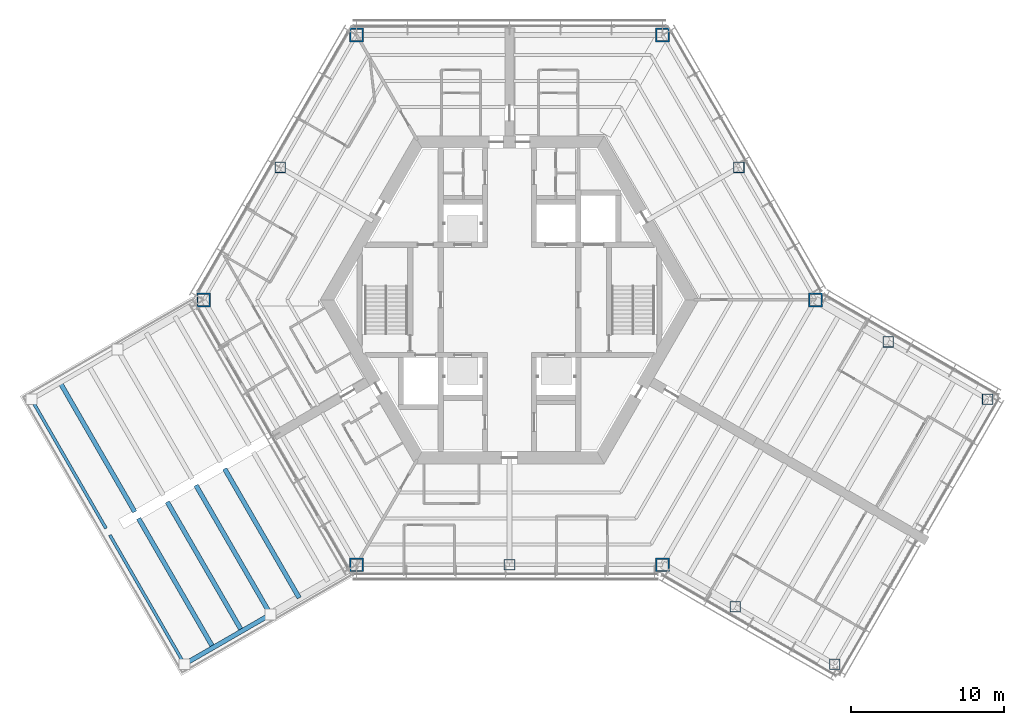
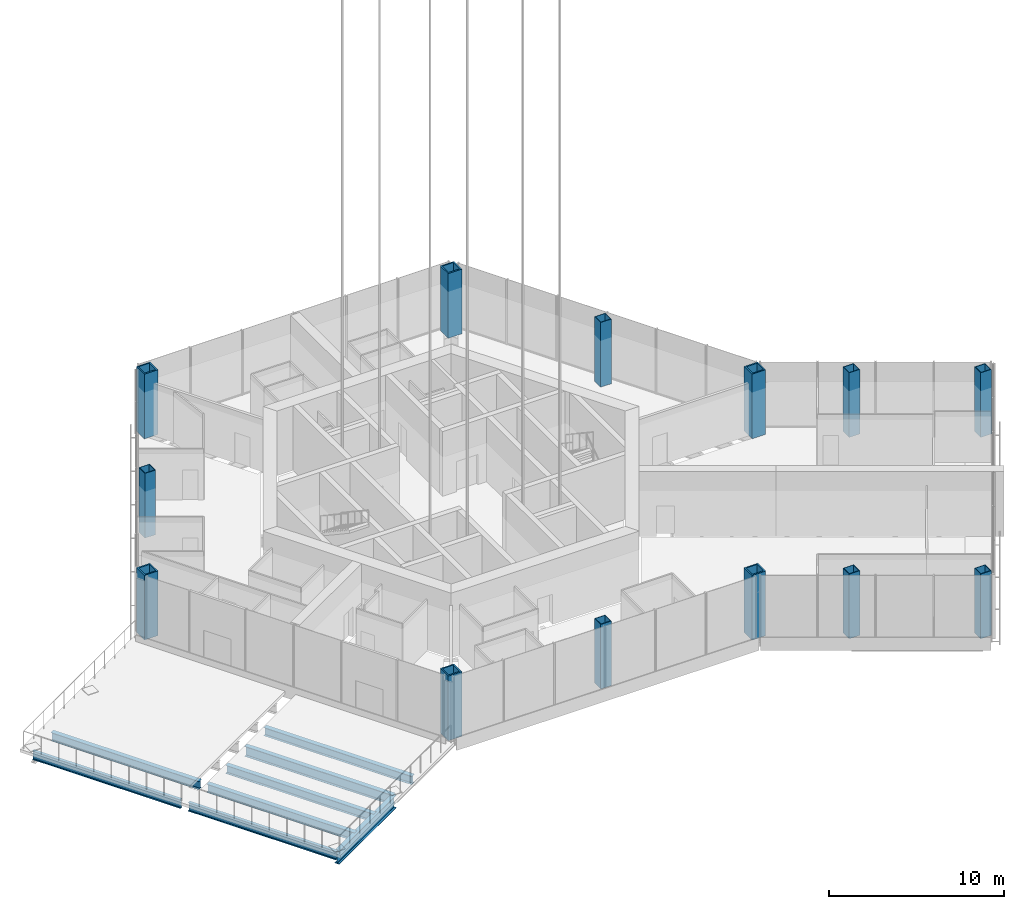
# One storey, part 1 of 17: 13 columns, 8 beams.
"""IFC4 building model written with IfcOpenShell, lengths in metres."""

import ifcopenshell
import ifcopenshell.guid

model = None  # the IFC model being written
_history = None  # IfcOwnerHistory: only IFC2X3 demands one
_inside = {}  # id of a spatial element -> (the spatial element, [elements in it])
_under = {}  # id of a project, library or spatial element -> (it, [spatial elements below it])
_declared = {}  # id of a project -> (the project, [libraries it declares])
_typed = {}  # id of a type object -> (the type object, [elements of that type])
_made_of = {}  # id of a material, layer set ... -> (it, [elements and type objects made of it])


def new_model(schema):
    """Start an empty IFC model of exactly this schema.

    Asked for "IFC4X3", IfcOpenShell would pick the latest addendum, in which some entities
    have other attributes; the version numbers below select the first issue.
    IFC2X3 requires an IfcOwnerHistory on every rooted entity: one is made here for all.
    """
    global model, _history
    if schema == "IFC4X3":
        model = ifcopenshell.file(schema_version=(4, 3, 0, 0))
    else:
        model = ifcopenshell.file(schema=schema)
    _inside.clear()
    _under.clear()
    _declared.clear()
    _typed.clear()
    _made_of.clear()
    _history = None
    if model.schema == "IFC2X3":
        org = make("IfcOrganization", Name="unknown")
        user = make(
            "IfcPersonAndOrganization",
            ThePerson=make("IfcPerson", FamilyName="unknown"),
            TheOrganization=org,
        )
        app = make(
            "IfcApplication",
            ApplicationDeveloper=org,
            Version="unknown",
            ApplicationFullName="unknown",
            ApplicationIdentifier="unknown",
        )
        _history = make(
            "IfcOwnerHistory",
            OwningUser=user,
            OwningApplication=app,
            ChangeAction="ADDED",
            CreationDate=0,
        )
    return model


def make(cls, **values):
    """One entity of the class cls with the attributes given. An attribute that is None is left unset."""
    return model.create_entity(
        cls, **{name: value for name, value in values.items() if value is not None}
    )


def rooted(cls, **values):
    """An entity with a GlobalId (a new one), such as an element, a storey or a relation."""
    return make(cls, GlobalId=ifcopenshell.guid.new(), OwnerHistory=_history, **values)


def si_unit(unit_type, name, prefix=None):
    """IfcSIUnit, for example si_unit("LENGTHUNIT", "METRE", prefix="MILLI")."""
    return make("IfcSIUnit", UnitType=unit_type, Prefix=prefix, Name=name)


def assignment(units):
    """IfcUnitAssignment: the units of a project."""
    return None if units is None else make("IfcUnitAssignment", Units=units)


def point(xyz):
    """IfcCartesianPoint."""
    return None if xyz is None else make("IfcCartesianPoint", Coordinates=xyz)


def direction(xyz):
    """IfcDirection."""
    return None if xyz is None else make("IfcDirection", DirectionRatios=xyz)


def frame(location, z_axis=None, x_axis=None):
    """IfcAxis2Placement3D, a coordinate frame: its origin and axes. An axis left out is left unset."""
    return make(
        "IfcAxis2Placement3D",
        Location=point(location),
        Axis=direction(z_axis),
        RefDirection=direction(x_axis),
    )


def frame_2d(location, x_axis=None):
    """IfcAxis2Placement2D, a coordinate frame in the plane: its origin and x axis."""
    return make(
        "IfcAxis2Placement2D", Location=point(location), RefDirection=direction(x_axis)
    )


def origin():
    """The frame at (0, 0, 0) with its axes left unset."""
    return frame((0.0, 0.0, 0.0))


def origin_2d():
    """The frame at (0, 0) in the plane with its x axis left unset."""
    return frame_2d((0.0, 0.0))


def place(relative_to, where):
    """IfcLocalPlacement: puts the frame where relative to a parent placement (None: the world)."""
    return make(
        "IfcLocalPlacement", PlacementRelTo=relative_to, RelativePlacement=where
    )


def context(
    kind, dimensions, precision=None, world=None, true_north=None, identifier=None
):
    """IfcGeometricRepresentationContext, for example the 3D "Model" context."""
    return make(
        "IfcGeometricRepresentationContext",
        ContextIdentifier=identifier,
        ContextType=kind,
        CoordinateSpaceDimension=dimensions,
        Precision=precision,
        WorldCoordinateSystem=world,
        TrueNorth=true_north,
    )


def subcontext(parent, identifier, kind, view, scale=None):
    """IfcGeometricRepresentationSubContext, for example "Body" below "Model"."""
    return make(
        "IfcGeometricRepresentationSubContext",
        ContextIdentifier=identifier,
        ContextType=kind,
        ParentContext=parent,
        TargetScale=scale,
        TargetView=view,
    )


def project(units=None, contexts=None):
    """IfcProject with its units and contexts."""
    return rooted(
        "IfcProject",
        Name="project",
        RepresentationContexts=contexts,
        UnitsInContext=assignment(units),
    )


def spatial(cls, under=None, at=None, **own):
    """A site, building, storey or space (cls), placed at a placement, below another one or the project."""
    s = rooted(cls, ObjectPlacement=at, **own)
    if under is not None:
        _under.setdefault(under.id(), (under, []))[1].append(s)
    return s


def profile(cls, at=None, kind="AREA", **sizes):
    """A parametric profile (cls). Its sizes go by their IFC names, for example OverallWidth=200.0."""
    return make(cls, ProfileType=kind, Position=at, **sizes)


def hollow_rectangle(**sizes):
    """IfcRectangleHollowProfileDef."""
    return profile("IfcRectangleHollowProfileDef", **sizes)


def i_section(**sizes):
    """IfcIShapeProfileDef."""
    return profile("IfcIShapeProfileDef", **sizes)


def extrude(swept, where, along, depth):
    """IfcExtrudedAreaSolid: the profile swept, set in the frame where, extruded along a direction by depth."""
    return make(
        "IfcExtrudedAreaSolid",
        SweptArea=swept,
        Position=where,
        ExtrudedDirection=direction(along),
        Depth=depth,
    )


def shape(context_of_items, identifier, shape_type, items):
    """IfcShapeRepresentation: the items that make up one representation, for example the "Body"."""
    return make(
        "IfcShapeRepresentation",
        ContextOfItems=context_of_items,
        RepresentationIdentifier=identifier,
        RepresentationType=shape_type,
        Items=items,
    )


def material(Name=None, Category=None):
    """IfcMaterial."""
    return make("IfcMaterial", Name=Name, Category=Category)


def material_profile(
    of_material, cross_section, Name=None, Category=None, Priority=None
):
    """IfcMaterialProfile: a cross section and its material."""
    return make(
        "IfcMaterialProfile",
        Name=Name,
        Material=of_material,
        Profile=cross_section,
        Priority=Priority,
        Category=Category,
    )


def profile_set(profiles, Name=None, composite=None):
    """IfcMaterialProfileSet."""
    return make(
        "IfcMaterialProfileSet",
        Name=Name,
        MaterialProfiles=profiles,
        CompositeProfile=composite,
    )


def made_of(thing, what):
    """Note that an element or type object is made of a material, layer set ...; save() writes the relation."""
    if what is not None:
        _made_of.setdefault(what.id(), (what, []))[1].append(thing)
    return thing


def type_object(cls, material=None, **own):
    """A type object (cls), such as IfcWallType, which elements share."""
    return made_of(rooted(cls, **own), material)


def element(
    cls,
    number,
    at=None,
    inside=None,
    cuts=None,
    type_object=None,
    material=None,
    context=None,
    identifier="Body",
    shape_type=None,
    held_by="IfcProductDefinitionShape",
    body=None,
    shapes=None,
    **own,
):
    """One element of the class cls, such as IfcWall. Its Tag is "e" and its number.

    at: its placement. inside: the storey or other place that contains it. cuts: it is an
    opening in that element (IfcRelVoidsElement). A single representation is given by context,
    identifier, shape_type and body (its items); several are given by shapes. held_by: the class
    of the entity that holds the representations. save() writes the other relations.
    """
    e = rooted(cls, Tag="e%d" % number, ObjectPlacement=at, **own)
    if body is not None:
        shapes = [shape(context, identifier, shape_type, body)]
    if shapes is not None:
        e.Representation = make(held_by, Representations=shapes)
    if inside is not None:
        _inside.setdefault(inside.id(), (inside, []))[1].append(e)
    if cuts is not None:
        rooted(
            "IfcRelVoidsElement", RelatingBuildingElement=cuts, RelatedOpeningElement=e
        )
    if type_object is not None:
        _typed.setdefault(type_object.id(), (type_object, []))[1].append(e)
    return made_of(e, material)


def aggregate(whole, parts):
    """IfcRelAggregates: a whole, such as a stair, and the parts it consists of."""
    return rooted("IfcRelAggregates", RelatingObject=whole, RelatedObjects=parts)


def save(model, path):
    """Write the relations noted so far, then the file.

    IfcRelAggregates (storeys below a building ...), IfcRelContainedInSpatialStructure (elements
    in a storey), IfcRelDefinesByType, IfcRelAssociatesMaterial and IfcRelDeclares: one each for
    every whole, place, type object, material and project.
    """
    for whole, parts in _under.values():
        aggregate(whole, parts)
    for where, things in _inside.values():
        rooted(
            "IfcRelContainedInSpatialStructure",
            RelatedElements=things,
            RelatingStructure=where,
        )
    for kind, things in _typed.values():
        rooted("IfcRelDefinesByType", RelatedObjects=things, RelatingType=kind)
    for what, things in _made_of.values():
        rooted("IfcRelAssociatesMaterial", RelatedObjects=things, RelatingMaterial=what)
    for by, libraries in _declared.values():
        rooted("IfcRelDeclares", RelatingContext=by, RelatedDefinitions=libraries)
    model.write(path)


model = new_model("IFC4")

# Units and contexts
model_context = context("Model", 3, precision=1e-05, world=origin(), true_north=direction((0.0, 1.0)))
body_context = subcontext(model_context, "Body", "Model", "MODEL_VIEW")
ifc_project = project(units=[si_unit("LENGTHUNIT", "METRE"), si_unit("AREAUNIT", "SQUARE_METRE"), si_unit("VOLUMEUNIT", "CUBIC_METRE"), si_unit("PLANEANGLEUNIT", "RADIAN"), si_unit("MASSUNIT", "GRAM", prefix="KILO")], contexts=[model_context])

# Site, building, storey
site_placement = place(None, origin())
site = spatial("IfcSite", under=ifc_project, at=site_placement, CompositionType="ELEMENT")
building_placement = place(site_placement, origin())
building = spatial("IfcBuilding", under=site, at=building_placement, Name="Kasaneha Research Tower", CompositionType="ELEMENT")
storey_placement = place(building_placement, frame((0.0, 0.0, 208.300048828125)))
storey = spatial("IfcBuildingStorey", under=building, at=storey_placement, Name="L52", CompositionType="ELEMENT", Elevation=208.300048828125)

# Columns
ifc_material_1 = material(Name="Steel SN490C", Category="steel")
ifc_material_profile_1 = material_profile(ifc_material_1, hollow_rectangle(XDim=0.699951171875, YDim=0.699951171875, WallThickness=0.035888671875, at=origin_2d()), Name="BOX-700x700x36")
ifc_profile_set_1 = profile_set([ifc_material_profile_1], Name="Steel SN490C")
column_type_1 = type_object("IfcColumnType", Name="C3B column BOX-700x700x36", PredefinedType="COLUMN", material=ifc_profile_set_1)
for number, where, z_axis, x_axis, name in (
    (1, (15.0, 8.66015625, 0.0), (0.0, 0.0, 1.0), (1.0, 0.0, 0.0), "Column M030 L52"),
    (2, (-15.0, 8.66015625, 0.0), (0.0, 0.0, 1.0), (1.0, 0.0, 0.0), "Column M150 L52"),
    (3, (0.0, -17.320556640625, 0.0), (0.0, 0.0, 1.0), (1.0, 0.0, 0.0), "Column M270 L52"),
    (4, (14.76318359375, -20.070556640625, 0.0), (0.0, 0.0, 1.0), (1.0, 0.0, 0.0), "Column CSP L52"),
    (5, (21.25830078125, -23.820556640625, 0.0), (0.0, 0.0, 1.0), (1.0, 0.0, 0.0), "Column CTP L52"),
    (6, (24.76318359375, -2.75, 0.0), (0.0, 0.0, 1.0), (1.0, 0.0, 0.0), "Column CSN L52"),
    (7, (31.25830078125, -6.5, 0.0), (0.0, 0.0, 1.0), (1.0, 0.0, 0.0), "Column CTN L52"),
):
    element("IfcColumn", number, at=place(storey_placement, frame(where, z_axis=z_axis, x_axis=x_axis)), inside=storey, type_object=column_type_1, Name=name, PredefinedType="COLUMN", context=body_context, shape_type="SweptSolid", body=[
        extrude(hollow_rectangle(XDim=0.699951171875, YDim=0.699951171875, WallThickness=0.035888671875, at=origin_2d()), origin(), (0.0, 0.0, 1.0), 4.5),
    ])
ifc_material_2 = material(Name="Steel SN490C", Category="steel")
ifc_material_profile_2 = material_profile(ifc_material_2, hollow_rectangle(XDim=0.89990234375, YDim=0.89990234375, WallThickness=0.090087890625, at=origin_2d()), Name="BOX-900x900x90")
ifc_profile_set_2 = profile_set([ifc_material_profile_2], Name="Steel SN490C")
column_type_2 = type_object("IfcColumnType", Name="CT2 column BOX-900x900x90", PredefinedType="COLUMN", material=ifc_profile_set_2)
for number, where, z_axis, x_axis, name in (
    (8, (20.0, 0.0, 0.0), (0.0, 0.0, 1.0), (1.0, 0.0, 0.0), "Column V0 L52"),
    (9, (10.0, 17.320556640625, 0.0), (0.0, 0.0, 1.0), (1.0, 0.0, 0.0), "Column V1 L52"),
    (10, (-10.0, 17.320556640625, 0.0), (0.0, 0.0, 1.0), (1.0, 0.0, 0.0), "Column V2 L52"),
    (11, (-20.0, 0.0, 0.0), (0.0, 0.0, 1.0), (1.0, 0.0, 0.0), "Column V3 L52"),
    (12, (-10.0, -17.320556640625, 0.0), (0.0, 0.0, 1.0), (1.0, 0.0, 0.0), "Column V4 L52"),
    (13, (10.0, -17.320556640625, 0.0), (0.0, 0.0, 1.0), (1.0, 0.0, 0.0), "Column V5 L52"),
):
    element("IfcColumn", number, at=place(storey_placement, frame(where, z_axis=z_axis, x_axis=x_axis)), inside=storey, type_object=column_type_2, Name=name, PredefinedType="COLUMN", context=body_context, shape_type="SweptSolid", body=[
        extrude(hollow_rectangle(XDim=0.89990234375, YDim=0.89990234375, WallThickness=0.090087890625, at=origin_2d()), origin(), (0.0, 0.0, 1.0), 4.5),
    ])

# Beams
ifc_material_3 = material(Name="Steel SN490B", Category="steel")
ifc_material_profile_3 = material_profile(ifc_material_3, i_section(OverallWidth=0.300048828125, OverallDepth=0.58203125, WebThickness=0.011962890625, FlangeThickness=0.01708984375, FilletRadius=0.012939453125, at=origin_2d()), Name="H-582x300x12x17")
ifc_profile_set_3 = profile_set([ifc_material_profile_3], Name="Steel SN490B")
beam_type_1 = type_object("IfcBeamType", Name="B2-4 secondary beam H-582x300x12x17", PredefinedType="JOIST", material=ifc_profile_set_3)
for number, where, z_axis, x_axis, name in (
    (14, (-29.3818359375, -5.416748046875, -0.490966796875), (0.500006402939, -0.866021707014, 0.0), (0.866021707014, 0.500006402939, 0.0), "Secondary beam WBBP4 L52"),
    (15, (-13.752685546875, -19.487060546875, -0.490966796875), (-0.500006402939, 0.866021707014, 0.0), (-0.866021707014, -0.500006402939, 0.0), "Secondary beam WBBN2 L52"),
    (16, (-17.505615234375, -21.65380859375, -0.490966796875), (-0.500006402939, 0.866021707014, 0.0), (-0.866021707014, -0.500006402939, 0.0), "Secondary beam WBBN3 L52"),
    (17, (-19.3818359375, -22.737060546875, -0.490966796875), (-0.500006402939, 0.866021707014, 0.0), (-0.866021707014, -0.500006402939, 0.0), "Secondary beam WBBN4 L52"),
):
    element("IfcBeam", number, at=place(storey_placement, frame(where, z_axis=z_axis, x_axis=x_axis)), inside=storey, type_object=beam_type_1, Name=name, PredefinedType="JOIST", context=body_context, shape_type="SweptSolid", body=[
        extrude(i_section(OverallWidth=0.300048828125, OverallDepth=0.58203125, WebThickness=0.011962890625, FlangeThickness=0.01708984375, FilletRadius=0.012939453125, at=origin_2d()), origin(), (0.0, 0.0, 1.0), 9.749755859375),
    ])
ifc_material_4 = material(Name="Steel SN490B", Category="steel")
ifc_material_profile_4 = material_profile(ifc_material_4, i_section(OverallWidth=0.300048828125, OverallDepth=0.699951171875, WebThickness=0.012939453125, FlangeThickness=0.02392578125, FilletRadius=0.01806640625, at=origin_2d()), Name="H-700x300x13x24")
ifc_profile_set_4 = profile_set([ifc_material_profile_4], Name="Steel SN490B")
beam_type_2 = type_object("IfcBeamType", Name="G4-4 wing girder H-700x300x13x24", PredefinedType="BEAM", material=ifc_profile_set_4)
beam_1_placement = place(storey_placement, frame((-15.629150390625, -20.570556640625, -0.550048828125), z_axis=(-0.499995560238, 0.866027967067, 0.0), x_axis=(-0.866027967067, -0.499995560238, 0.0)))
element("IfcBeam", 18, at=beam_1_placement, inside=storey, type_object=beam_type_2, Name="Wing girder WGBN L52", PredefinedType="BEAM", context=body_context, shape_type="SweptSolid", body=[
    extrude(i_section(OverallWidth=0.300048828125, OverallDepth=0.699951171875, WebThickness=0.012939453125, FlangeThickness=0.02392578125, FilletRadius=0.01806640625, at=origin_2d()), origin(), (0.0, 0.0, 1.0), 9.75),
])
ifc_material_5 = material(Name="Steel SN490B", Category="steel")
ifc_material_profile_5 = material_profile(ifc_material_5, i_section(OverallWidth=0.300048828125, OverallDepth=0.89990234375, WebThickness=0.01611328125, FlangeThickness=0.028076171875, FilletRadius=0.01806640625, at=origin_2d()), Name="H-900x300x16x28")
ifc_profile_set_5 = profile_set([ifc_material_profile_5], Name="Steel SN490B")
beam_type_3 = type_object("IfcBeamType", Name="SB2-4 spandrel beam H-900x300x16x28", PredefinedType="SPANDREL", material=ifc_profile_set_5)
beam_2_placement = place(storey_placement, frame((-15.629150390625, -20.570556640625, -0.650146484375), z_axis=(-0.866024837091, -0.50000098154, 0.0), x_axis=(0.50000098154, -0.866024837091, 0.0)))
element("IfcBeam", 19, at=beam_2_placement, inside=storey, type_object=beam_type_3, Name="Spandrel beam WSBN2 L52", PredefinedType="SPANDREL", context=body_context, shape_type="SweptSolid", body=[
    extrude(i_section(OverallWidth=0.300048828125, OverallDepth=0.89990234375, WebThickness=0.01611328125, FlangeThickness=0.028076171875, FilletRadius=0.01806640625, at=origin_2d()), origin(), (0.0, 0.0, 1.0), 6.5),
])
ifc_material_6 = material(Name="Steel SN490B", Category="steel")
ifc_material_profile_6 = material_profile(ifc_material_6, i_section(OverallWidth=0.199951171875, OverallDepth=0.60009765625, WebThickness=0.010986328125, FlangeThickness=0.01708984375, FilletRadius=0.012939453125, at=origin_2d()), Name="H-600x200x11x17")
ifc_profile_set_6 = profile_set([ifc_material_profile_6], Name="Steel SN490B")
beam_type_4 = type_object("IfcBeamType", Name="SB3-4 spandrel beam H-600x200x11x17", PredefinedType="SPANDREL", material=ifc_profile_set_6)
for number, where, z_axis, x_axis, name in (
    (20, (-31.25830078125, -6.5, -0.5), (0.499995560238, -0.866027967067, 0.0), (0.866027967067, 0.499995560238, 0.0), "Spandrel beam WTBP L52"),
    (21, (-21.25830078125, -23.820556640625, -0.5), (-0.499995560238, 0.866027967067, 0.0), (-0.866027967067, -0.499995560238, 0.0), "Spandrel beam WTBN L52"),
):
    element("IfcBeam", number, at=place(storey_placement, frame(where, z_axis=z_axis, x_axis=x_axis)), inside=storey, type_object=beam_type_4, Name=name, PredefinedType="SPANDREL", context=body_context, shape_type="SweptSolid", body=[
        extrude(i_section(OverallWidth=0.199951171875, OverallDepth=0.60009765625, WebThickness=0.010986328125, FlangeThickness=0.01708984375, FilletRadius=0.012939453125, at=origin_2d()), origin(), (0.0, 0.0, 1.0), 9.75),
    ])

save(model, "model.ifc")
